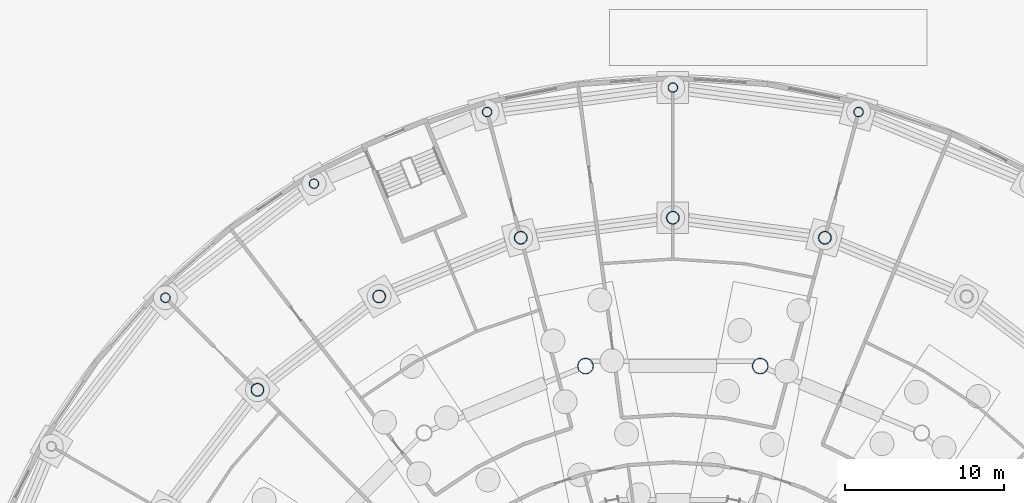
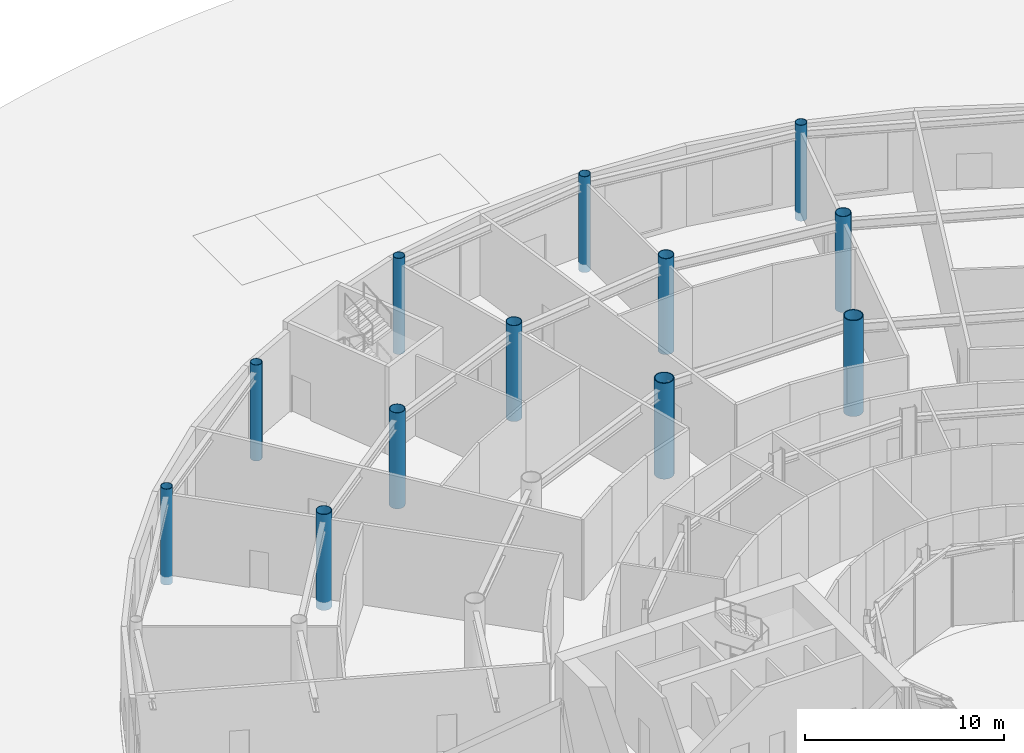
# One storey, part 9 of 41: 12 columns.
"""IFC4 building model written with IfcOpenShell, lengths in metres."""

from ifc_helpers import new_model, si_unit, direction, frame, origin, origin_2d, place, context, subcontext, project, spatial, hollow_circle, extrude, material, material_profile, profile_set, type_object, element, save


model = new_model("IFC4")

# Units and contexts
model_context = context("Model", 3, precision=1e-05, world=origin(), true_north=direction((0.0, 1.0)))
body_context = subcontext(model_context, "Body", "Model", "MODEL_VIEW")
ifc_project = project(units=[si_unit("LENGTHUNIT", "METRE"), si_unit("AREAUNIT", "SQUARE_METRE"), si_unit("VOLUMEUNIT", "CUBIC_METRE"), si_unit("PLANEANGLEUNIT", "RADIAN"), si_unit("MASSUNIT", "GRAM", prefix="KILO")], contexts=[model_context])

# Site, building, storey
site_placement = place(None, origin())
site = spatial("IfcSite", under=ifc_project, at=site_placement, CompositionType="ELEMENT")
building_placement = place(site_placement, origin())
building = spatial("IfcBuilding", under=site, at=building_placement, Name="Maasbend Ring Residences", CompositionType="ELEMENT")
storey_placement = place(building_placement, origin())
storey = spatial("IfcBuildingStorey", under=building, at=storey_placement, Name="L00", CompositionType="ELEMENT", Elevation=0.0)

# Columns
ifc_material_1 = material(Name="Composite concrete-filled steel tube S460NH / C80/95", Category="concrete")
ifc_material_profile_1 = material_profile(ifc_material_1, hollow_circle(Radius=0.508056640625, WallThickness=0.050048828125, at=origin_2d()), Name="Composite tube column CHS 1016x50")
ifc_profile_set_1 = profile_set([ifc_material_profile_1], Name="Composite concrete-filled steel tube S460NH / C80/95")
column_type_1 = type_object("IfcColumnType", Name="Composite tube column CHS 1016x50", PredefinedType="COLUMN", material=ifc_profile_set_1)
for number, where, z_axis, x_axis, name in (
    (1, (5.50146484375, 27.658203125, -0.5), (0.0, 0.0, 1.0), (1.0, 0.0, 0.0), "Outer column R4"),
    (2, (-5.50146484375, 27.658203125, -0.5), (0.0, 0.0, 1.0), (1.0, 0.0, 0.0), "Outer column R5"),
):
    element("IfcColumn", number, at=place(storey_placement, frame(where, z_axis=z_axis, x_axis=x_axis)), inside=storey, type_object=column_type_1, Name=name, PredefinedType="COLUMN", context=body_context, shape_type="SweptSolid", body=[
        extrude(hollow_circle(Radius=0.508056640625, WallThickness=0.050048828125, at=origin_2d()), origin(), (0.0, 0.0, 1.0), 5.89990234375),
    ])
ifc_material_2 = material(Name="Composite concrete-filled steel tube S460NH / C80/95", Category="concrete")
ifc_material_profile_2 = material_profile(ifc_material_2, hollow_circle(Radius=0.304931640625, WallThickness=0.02490234375, at=origin_2d()), Name="Composite tube column CHS 610x25")
ifc_profile_set_2 = profile_set([ifc_material_profile_2], Name="Composite concrete-filled steel tube S460NH / C80/95")
column_type_2 = type_object("IfcColumnType", Name="Composite tube column CHS 610x25", PredefinedType="COLUMN", material=ifc_profile_set_2)
for number, where, z_axis, x_axis, name in (
    (3, (11.698486328125, 43.659912109375, -0.5), (0.0, 0.0, 1.0), (1.0, 0.0, 0.0), "Deck edge column B06"),
    (4, (0.0, 45.199951171875, -0.5), (0.0, 0.0, 1.0), (1.0, 0.0, 0.0), "Deck edge column B07"),
    (5, (-11.698486328125, 43.659912109375, -0.5), (0.0, 0.0, 1.0), (1.0, 0.0, 0.0), "Deck edge column B08"),
    (6, (-22.60009765625, 39.144287109375, -0.5), (0.0, 0.0, 1.0), (1.0, 0.0, 0.0), "Deck edge column B09"),
    (7, (-31.961181640625, 31.961181640625, -0.5), (0.0, 0.0, 1.0), (1.0, 0.0, 0.0), "Deck edge column B10"),
):
    element("IfcColumn", number, at=place(storey_placement, frame(where, z_axis=z_axis, x_axis=x_axis)), inside=storey, type_object=column_type_2, Name=name, PredefinedType="COLUMN", context=body_context, shape_type="SweptSolid", body=[
        extrude(hollow_circle(Radius=0.304931640625, WallThickness=0.02490234375, at=origin_2d()), origin(), (0.0, 0.0, 1.0), 5.89990234375),
    ])
ifc_material_3 = material(Name="Composite concrete-filled steel tube S460NH / C80/95", Category="concrete")
ifc_material_profile_3 = material_profile(ifc_material_3, hollow_circle(Radius=0.406494140625, WallThickness=0.030029296875, at=origin_2d()), Name="Composite tube column CHS 813x30")
ifc_profile_set_3 = profile_set([ifc_material_profile_3], Name="Composite concrete-filled steel tube S460NH / C80/95")
column_type_3 = type_object("IfcColumnType", Name="Composite tube column CHS 813x30", PredefinedType="COLUMN", material=ifc_profile_set_3)
for number, where, z_axis, x_axis, name in (
    (8, (9.576416015625, 35.7392578125, -0.5), (0.0, 0.0, 1.0), (1.0, 0.0, 0.0), "Podium column B06"),
    (9, (0.0, 37.0, -0.5), (0.0, 0.0, 1.0), (1.0, 0.0, 0.0), "Podium column B07"),
    (10, (-9.576416015625, 35.7392578125, -0.5), (0.0, 0.0, 1.0), (1.0, 0.0, 0.0), "Podium column B08"),
    (11, (-18.5, 32.04296875, -0.5), (0.0, 0.0, 1.0), (1.0, 0.0, 0.0), "Podium column B09"),
    (12, (-26.1630859375, 26.1630859375, -0.5), (0.0, 0.0, 1.0), (1.0, 0.0, 0.0), "Podium column B10"),
):
    element("IfcColumn", number, at=place(storey_placement, frame(where, z_axis=z_axis, x_axis=x_axis)), inside=storey, type_object=column_type_3, Name=name, PredefinedType="COLUMN", context=body_context, shape_type="SweptSolid", body=[
        extrude(hollow_circle(Radius=0.406494140625, WallThickness=0.030029296875, at=origin_2d()), origin(), (0.0, 0.0, 1.0), 5.89990234375),
    ])

save(model, "model.ifc")
